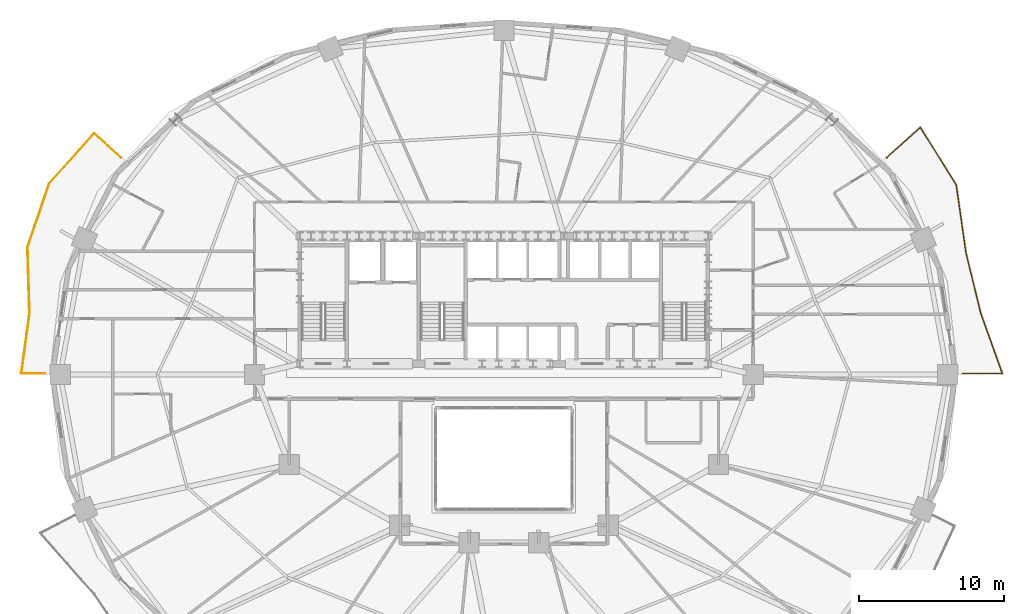
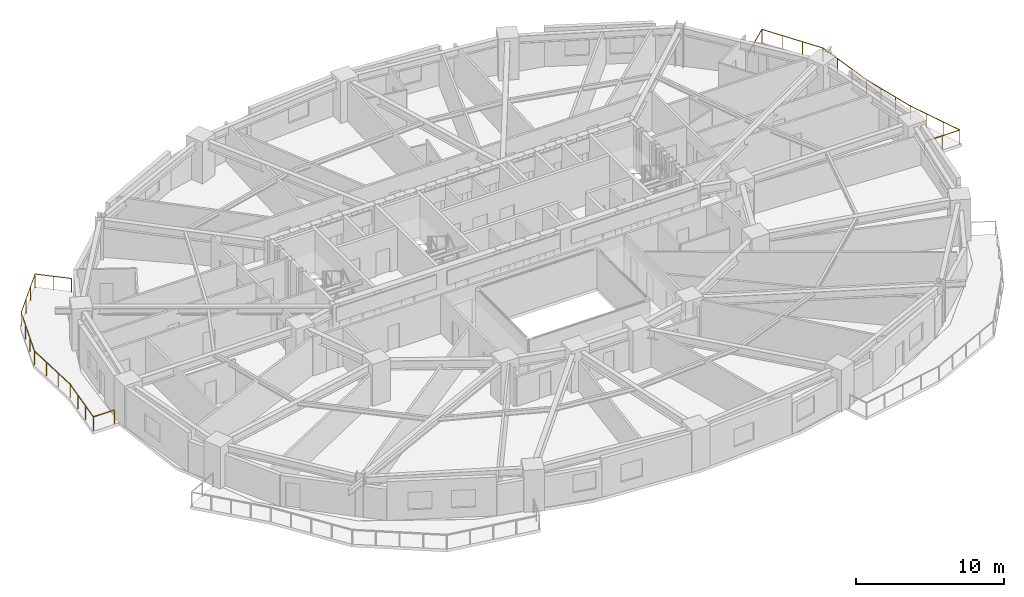
# One storey, part 18 of 18: 2 railings.
"""IFC4 building model written with IfcOpenShell, lengths in metres."""

from ifc_helpers import new_model, si_unit, direction, frame, origin, origin_2d, place, context, subcontext, project, spatial, rectangle, extrude, material, type_object, element, save


model = new_model("IFC4")

# Units and contexts
model_context = context("Model", 3, precision=1e-05, world=origin(), true_north=direction((0.0, 1.0)))
body_context = subcontext(model_context, "Body", "Model", "MODEL_VIEW")
ifc_project = project(units=[si_unit("LENGTHUNIT", "METRE"), si_unit("AREAUNIT", "SQUARE_METRE"), si_unit("VOLUMEUNIT", "CUBIC_METRE"), si_unit("PLANEANGLEUNIT", "RADIAN"), si_unit("MASSUNIT", "GRAM", prefix="KILO")], contexts=[model_context])

# Site, building, storey
site_placement = place(None, origin())
site = spatial("IfcSite", under=ifc_project, at=site_placement, CompositionType="ELEMENT")
building_placement = place(site_placement, origin())
building = spatial("IfcBuilding", under=site, at=building_placement, Name="Haldorwick Loom Tower", CompositionType="ELEMENT")
storey_placement = place(building_placement, frame((0.0, 0.0, 48.14990234375)))
storey = spatial("IfcBuildingStorey", under=building, at=storey_placement, Name="L12", CompositionType="ELEMENT", Elevation=48.14990234375)

# Railings
ifc_material = material(Name="Galvanized Steel CSA G40.21 350W", Category="steel")
railing_type = type_object("IfcRailingType", Name="ARC-RLG-BAL115", PredefinedType="BALUSTRADE", material=ifc_material)
railing_1_placement = place(storey_placement, frame((4.36083984375, 26.080078125, 0.0)))
element("IfcRailing", 1, at=railing_1_placement, inside=storey, type_object=railing_type, Name="L12 Outdoor Terrace Guardrail SLB-L12-BAL_WNW-1", PredefinedType="BALUSTRADE", context=body_context, shape_type="SweptSolid", body=[
    extrude(rectangle(XDim=0.048095703125, YDim=0.048095703125, at=origin_2d()), frame((0.0, 0.0, 1.1259765625), z_axis=(-1.0, 0.0, 0.0), x_axis=(0.0, -1.0, 0.0)), (0.0, 0.0, 1.0), 1.63671875),
    extrude(rectangle(XDim=0.048095703125, YDim=0.048095703125, at=origin_2d()), frame((-1.63671875, 0.0, 1.1259765625), z_axis=(0.136057133851, 0.990700992393, 0.0), x_axis=(-0.990700992393, 0.136057133851, 0.0)), (0.0, 0.0, 1.0), 4.143310546875),
    extrude(rectangle(XDim=0.048095703125, YDim=0.048095703125, at=origin_2d()), frame((-1.072998046875, 4.104736328125, 1.1259765625), z_axis=(0.073871685515, 0.997267754457, 0.0), x_axis=(-0.997267754457, 0.073871685515, 0.0)), (0.0, 0.0, 1.0), 0.006591796875),
    extrude(rectangle(XDim=0.048095703125, YDim=0.048095703125, at=origin_2d()), frame((-1.072509765625, 4.111328125, 1.1259765625), z_axis=(0.03701166051, 0.999314833767, 0.0), x_axis=(-0.999314833767, 0.03701166051, 0.0)), (0.0, 0.0, 1.0), 0.006591796875),
    extrude(rectangle(XDim=0.048095703125, YDim=0.048095703125, at=origin_2d()), frame((-1.072265625, 4.117919921875, 1.1259765625), z_axis=(-0.029323982947, 0.999569959545, 0.0), x_axis=(-0.999569959545, -0.029323982947, 0.0)), (0.0, 0.0, 1.0), 4.58740234375),
    extrude(rectangle(XDim=0.048095703125, YDim=0.048095703125, at=origin_2d()), frame((-1.206787109375, 8.703369140625, 1.1259765625), z_axis=(0.32182984281, 0.946797524435, 0.0), x_axis=(-0.946797524435, 0.32182984281, 0.0)), (0.0, 0.0, 1.0), 4.623779296875),
    extrude(rectangle(XDim=0.048095703125, YDim=0.048095703125, at=origin_2d()), frame((0.28125, 13.0810546875, 1.1259765625), z_axis=(0.664640925369, 0.747162927563, 0.0), x_axis=(-0.747162927563, 0.664640925369, 0.0)), (0.0, 0.0, 1.0), 4.647705078125),
    extrude(rectangle(XDim=0.048095703125, YDim=0.048095703125, at=origin_2d()), frame((3.370361328125, 16.5537109375, 1.1259765625), z_axis=(0.74353574083, -0.668696195674, 0.0), x_axis=(0.668696195674, 0.74353574083, 0.0)), (0.0, 0.0, 1.0), 2.511962890625),
    extrude(rectangle(XDim=0.0419921875, YDim=0.0419921875, at=origin_2d()), origin(), (0.0, 0.0, 1.0), 1.101806640625),
    extrude(rectangle(XDim=0.0419921875, YDim=0.0419921875, at=origin_2d()), frame((-1.63671875, 0.0, 0.0)), (0.0, 0.0, 1.0), 1.101806640625),
    extrude(rectangle(XDim=0.0419921875, YDim=0.0419921875, at=origin_2d()), frame((-1.44873046875, 1.3681640625, 0.0)), (0.0, 0.0, 1.0), 1.101806640625),
    extrude(rectangle(XDim=0.0419921875, YDim=0.0419921875, at=origin_2d()), frame((-1.260986328125, 2.736572265625, 0.0)), (0.0, 0.0, 1.0), 1.101806640625),
    extrude(rectangle(XDim=0.0419921875, YDim=0.0419921875, at=origin_2d()), frame((-1.072998046875, 4.104736328125, 0.0)), (0.0, 0.0, 1.0), 1.101806640625),
    extrude(rectangle(XDim=0.0419921875, YDim=0.0419921875, at=origin_2d()), frame((-1.1171875, 5.646484375, 0.0)), (0.0, 0.0, 1.0), 1.101806640625),
    extrude(rectangle(XDim=0.0419921875, YDim=0.0419921875, at=origin_2d()), frame((-1.161865234375, 7.1748046875, 0.0)), (0.0, 0.0, 1.0), 1.101806640625),
    extrude(rectangle(XDim=0.0419921875, YDim=0.0419921875, at=origin_2d()), frame((-1.206787109375, 8.703369140625, 0.0)), (0.0, 0.0, 1.0), 1.101806640625),
    extrude(rectangle(XDim=0.0419921875, YDim=0.0419921875, at=origin_2d()), frame((-0.710693359375, 10.16259765625, 0.0)), (0.0, 0.0, 1.0), 1.101806640625),
    extrude(rectangle(XDim=0.0419921875, YDim=0.0419921875, at=origin_2d()), frame((-0.21484375, 11.621826171875, 0.0)), (0.0, 0.0, 1.0), 1.101806640625),
    extrude(rectangle(XDim=0.0419921875, YDim=0.0419921875, at=origin_2d()), frame((0.28125, 13.0810546875, 0.0)), (0.0, 0.0, 1.0), 1.101806640625),
    extrude(rectangle(XDim=0.0419921875, YDim=0.0419921875, at=origin_2d()), frame((1.31103515625, 14.238525390625, 0.0)), (0.0, 0.0, 1.0), 1.101806640625),
    extrude(rectangle(XDim=0.0419921875, YDim=0.0419921875, at=origin_2d()), frame((2.340576171875, 15.396240234375, 0.0)), (0.0, 0.0, 1.0), 1.101806640625),
    extrude(rectangle(XDim=0.0419921875, YDim=0.0419921875, at=origin_2d()), frame((3.370361328125, 16.5537109375, 0.0)), (0.0, 0.0, 1.0), 1.101806640625),
    extrude(rectangle(XDim=0.0419921875, YDim=0.0419921875, at=origin_2d()), frame((4.30419921875, 15.7138671875, 0.0)), (0.0, 0.0, 1.0), 1.101806640625),
    extrude(rectangle(XDim=0.0419921875, YDim=0.0419921875, at=origin_2d()), frame((5.238037109375, 14.8740234375, 0.0)), (0.0, 0.0, 1.0), 1.101806640625),
])
railing_2_placement = place(storey_placement, frame((62.400390625, 40.955078125, 0.0)))
element("IfcRailing", 2, at=railing_2_placement, inside=storey, type_object=railing_type, Name="L12 Outdoor Terrace Guardrail SLB-L12-BAL_ENE-1", PredefinedType="BALUSTRADE", context=body_context, shape_type="SweptSolid", body=[
    extrude(rectangle(XDim=0.048095703125, YDim=0.048095703125, at=origin_2d()), frame((0.0, 0.0, 1.1259765625), z_axis=(0.741624845673, 0.670814868858, 0.0), x_axis=(-0.670814868858, 0.741624845673, 0.0)), (0.0, 0.0, 1.0), 3.116943359375),
    extrude(rectangle(XDim=0.048095703125, YDim=0.048095703125, at=origin_2d()), frame((2.3115234375, 2.0908203125, 1.1259765625), z_axis=(0.529563321948, -0.848270409744, 0.0), x_axis=(0.848270409744, 0.529563321948, 0.0)), (0.0, 0.0, 1.0), 4.685791015625),
    extrude(rectangle(XDim=0.048095703125, YDim=0.048095703125, at=origin_2d()), frame((4.79296875, -1.884033203125, 1.1259765625), z_axis=(0.14191859397, -0.989878332264, 0.0), x_axis=(0.989878332264, 0.14191859397, 0.0)), (0.0, 0.0, 1.0), 4.742919921875),
    extrude(rectangle(XDim=0.048095703125, YDim=0.048095703125, at=origin_2d()), frame((5.466064453125, -6.578857421875, 1.1259765625), z_axis=(0.190021906566, -0.98177985059, 0.0), x_axis=(0.98177985059, 0.190021906566, 0.0)), (0.0, 0.0, 1.0), 0.0078125),
    extrude(rectangle(XDim=0.048095703125, YDim=0.048095703125, at=origin_2d()), frame((5.467529296875, -6.58642578125, 1.1259765625), z_axis=(0.237633699165, -0.971354839912, 0.0), x_axis=(0.971354839912, 0.237633699165, 0.0)), (0.0, 0.0, 1.0), 4.280029296875),
    extrude(rectangle(XDim=0.048095703125, YDim=0.048095703125, at=origin_2d()), frame((6.484619140625, -10.743896484375, 1.1259765625), z_axis=(0.290007395283, -0.957024404433, 0.0), x_axis=(0.957024404433, 0.290007395283, 0.0)), (0.0, 0.0, 1.0), 0.00830078125),
    extrude(rectangle(XDim=0.048095703125, YDim=0.048095703125, at=origin_2d()), frame((6.487060546875, -10.751953125, 1.1259765625), z_axis=(0.338488613886, -0.940970487459, 0.0), x_axis=(0.940970487459, 0.338488613886, 0.0)), (0.0, 0.0, 1.0), 4.381591796875),
    extrude(rectangle(XDim=0.048095703125, YDim=0.048095703125, at=origin_2d()), frame((7.97021484375, -14.875, 1.1259765625), z_axis=(-1.0, 0.0, 0.0), x_axis=(0.0, -1.0, 0.0)), (0.0, 0.0, 1.0), 2.7314453125),
    extrude(rectangle(XDim=0.0419921875, YDim=0.0419921875, at=origin_2d()), origin(), (0.0, 0.0, 1.0), 1.101806640625),
    extrude(rectangle(XDim=0.0419921875, YDim=0.0419921875, at=origin_2d()), frame((1.15576171875, 1.04541015625, 0.0)), (0.0, 0.0, 1.0), 1.101806640625),
    extrude(rectangle(XDim=0.0419921875, YDim=0.0419921875, at=origin_2d()), frame((2.3115234375, 2.0908203125, 0.0)), (0.0, 0.0, 1.0), 1.101806640625),
    extrude(rectangle(XDim=0.0419921875, YDim=0.0419921875, at=origin_2d()), frame((3.138671875, 0.765869140625, 0.0)), (0.0, 0.0, 1.0), 1.101806640625),
    extrude(rectangle(XDim=0.0419921875, YDim=0.0419921875, at=origin_2d()), frame((3.9658203125, -0.55908203125, 0.0)), (0.0, 0.0, 1.0), 1.101806640625),
    extrude(rectangle(XDim=0.0419921875, YDim=0.0419921875, at=origin_2d()), frame((4.79296875, -1.884033203125, 0.0)), (0.0, 0.0, 1.0), 1.101806640625),
    extrude(rectangle(XDim=0.0419921875, YDim=0.0419921875, at=origin_2d()), frame((5.017333984375, -3.448974609375, 0.0)), (0.0, 0.0, 1.0), 1.101806640625),
    extrude(rectangle(XDim=0.0419921875, YDim=0.0419921875, at=origin_2d()), frame((5.24169921875, -5.013916015625, 0.0)), (0.0, 0.0, 1.0), 1.101806640625),
    extrude(rectangle(XDim=0.0419921875, YDim=0.0419921875, at=origin_2d()), frame((5.466064453125, -6.578857421875, 0.0)), (0.0, 0.0, 1.0), 1.101806640625),
    extrude(rectangle(XDim=0.0419921875, YDim=0.0419921875, at=origin_2d()), frame((5.806640625, -7.97216796875, 0.0)), (0.0, 0.0, 1.0), 1.101806640625),
    extrude(rectangle(XDim=0.0419921875, YDim=0.0419921875, at=origin_2d()), frame((6.1455078125, -9.358154296875, 0.0)), (0.0, 0.0, 1.0), 1.101806640625),
    extrude(rectangle(XDim=0.0419921875, YDim=0.0419921875, at=origin_2d()), frame((6.484619140625, -10.743896484375, 0.0)), (0.0, 0.0, 1.0), 1.101806640625),
    extrude(rectangle(XDim=0.0419921875, YDim=0.0419921875, at=origin_2d()), frame((6.9814453125, -12.126220703125, 0.0)), (0.0, 0.0, 1.0), 1.101806640625),
    extrude(rectangle(XDim=0.0419921875, YDim=0.0419921875, at=origin_2d()), frame((7.475830078125, -13.500732421875, 0.0)), (0.0, 0.0, 1.0), 1.101806640625),
    extrude(rectangle(XDim=0.0419921875, YDim=0.0419921875, at=origin_2d()), frame((7.97021484375, -14.875, 0.0)), (0.0, 0.0, 1.0), 1.101806640625),
    extrude(rectangle(XDim=0.0419921875, YDim=0.0419921875, at=origin_2d()), frame((6.6044921875, -14.875, 0.0)), (0.0, 0.0, 1.0), 1.101806640625),
    extrude(rectangle(XDim=0.0419921875, YDim=0.0419921875, at=origin_2d()), frame((5.23876953125, -14.875, 0.0)), (0.0, 0.0, 1.0), 1.101806640625),
])

save(model, "model.ifc")
